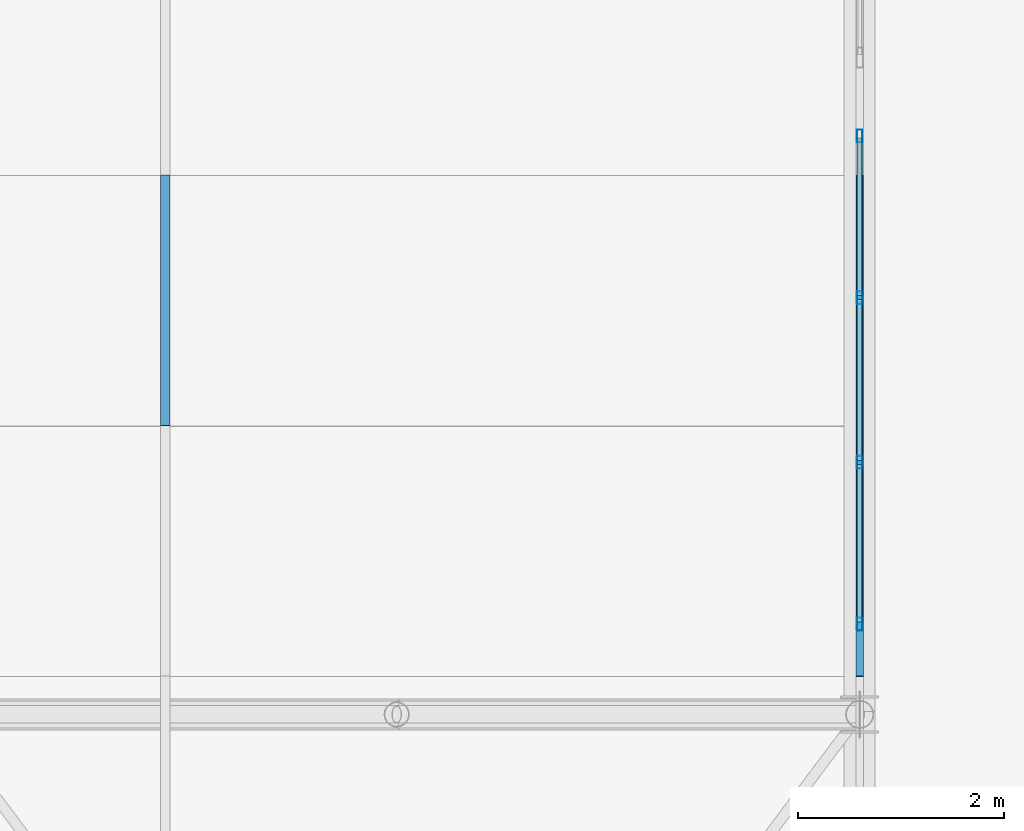
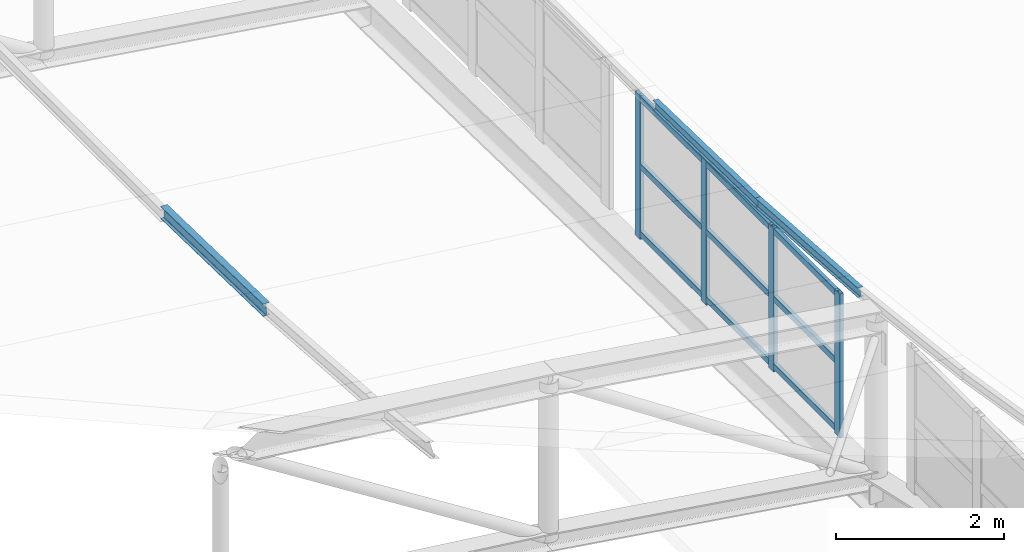
# One storey, part 95 of 262: 16 members, 1 element without a shape of its own.
"""IFC4 building model written with IfcOpenShell, lengths in metres."""

from ifc_helpers import new_model, si_unit, derived_unit, direction, frame, origin, origin_2d, place, context, subcontext, project, spatial, hollow_rectangle, i_section, extrude, material, layer, layer_set, material_profile, profile_set, type_object, element, aggregate, save


model = new_model("IFC4")

# Units and contexts
model_context = context("Model", 3, precision=1e-05, world=origin(), true_north=direction((0.0, 1.0)))
body_context = subcontext(model_context, "Body", "Model", "MODEL_VIEW")
ifc_project = project(units=[si_unit("LENGTHUNIT", "METRE"), si_unit("AREAUNIT", "SQUARE_METRE"), si_unit("VOLUMEUNIT", "CUBIC_METRE"), si_unit("PLANEANGLEUNIT", "RADIAN"), si_unit("MASSUNIT", "GRAM", prefix="KILO"), derived_unit("THERMALTRANSMITTANCEUNIT", [(si_unit("POWERUNIT", "WATT"), 1), (si_unit("LENGTHUNIT", "METRE"), -2), (si_unit("THERMODYNAMICTEMPERATUREUNIT", "KELVIN"), -1)])], contexts=[model_context])

# Site, building, storey
site_placement = place(None, origin())
site = spatial("IfcSite", under=ifc_project, at=site_placement, CompositionType="ELEMENT")
building_placement = place(site_placement, origin())
building = spatial("IfcBuilding", under=site, at=building_placement, Name="Almenara Railside Exhibition Hall", CompositionType="ELEMENT")
storey_placement = place(building_placement, frame((0.0, 0.0, 21.699951171875)))
storey = spatial("IfcBuildingStorey", under=building, at=storey_placement, Name="RF", CompositionType="ELEMENT", Elevation=21.699951171875)

# Members
ifc_material_1 = material(Name="Structural steel S355JR", Category="steel")
ifc_material_profile_1 = material_profile(ifc_material_1, i_section(OverallWidth=0.072998046875, OverallDepth=0.139892578125, WebThickness=0.004638671875, FlangeThickness=0.0068359375, FilletRadius=0.007080078125, at=origin_2d()), Name="IPE 140")
ifc_profile_set_1 = profile_set([ifc_material_profile_1], Name="Structural steel S355JR")
member_type_1 = type_object("IfcMemberType", Name="Canopy Edge Purlin IPE 140 S355JR", PredefinedType="PURLIN", material=ifc_profile_set_1)
member_1_placement = place(storey_placement, frame((66.0, 72.366943359375, 0.29345703125), z_axis=(0.0, 0.997528729247, -0.070259763216), x_axis=(-1.0, 0.0, 0.0)))
element("IfcMember", 1, at=member_1_placement, inside=storey, type_object=member_type_1, Name="MEM-PR-V1-PR-IPE140-08-10", PredefinedType="PURLIN", context=body_context, shape_type="SweptSolid", body=[
    extrude(i_section(OverallWidth=0.072998046875, OverallDepth=0.139892578125, WebThickness=0.004638671875, FlangeThickness=0.0068359375, FilletRadius=0.007080078125, at=origin_2d()), origin(), (0.0, 0.0, 1.0), 2.44287109375),
])
member_2_placement = place(storey_placement, frame((66.0, 74.8037109375, 0.122314453125), z_axis=(0.0, 0.999725289903, -0.023438104182), x_axis=(-1.0, 0.0, 0.0)))
element("IfcMember", 2, at=member_2_placement, inside=storey, type_object=member_type_1, Name="MEM-PR-V1-PR-IPE140-08-11", PredefinedType="PURLIN", context=body_context, shape_type="SweptSolid", body=[
    extrude(i_section(OverallWidth=0.072998046875, OverallDepth=0.139892578125, WebThickness=0.004638671875, FlangeThickness=0.0068359375, FilletRadius=0.007080078125, at=origin_2d()), origin(), (0.0, 0.0, 1.0), 2.4375),
])

# Curtain wall, members
ifc_material_2 = material(Name="Bronze-anodised aluminium and low-E double glazing", Category="aluminium")
ifc_layer = layer(ifc_material_2, 0.179931640625, Name="Bronze-anodised aluminium and low-E double glazing")
ifc_layer_set = layer_set([ifc_layer], Name="Bronze-anodised aluminium and low-E double glazing")
curtain_wall_type = type_object("IfcCurtainWallType", Name="West Hall Clerestory Curtain Wall 4200x2400", PredefinedType="NOTDEFINED", material=ifc_layer_set)
curtain_wall_placement = place(storey_placement, origin())
curtain_wall = element("IfcCurtainWall", 3, at=curtain_wall_placement, inside=storey, type_object=curtain_wall_type, Name="Curtain wall CW-CL1-178", PredefinedType="NOTDEFINED")
ifc_material_3 = material(Name="Bronze-anodised aluminium", Category="aluminium")
ifc_material_profile_2 = material_profile(ifc_material_3, hollow_rectangle(XDim=0.054931640625, YDim=0.125, WallThickness=0.0029296875, InnerFilletRadius=0.0029296875, OuterFilletRadius=0.006103515625, at=origin_2d()), Name="ALU-MUL 55x125x3")
ifc_profile_set_2 = profile_set([ifc_material_profile_2], Name="Bronze-anodised aluminium")
member_type_2 = type_object("IfcMemberType", Name="Curtain Wall Mullion 55x125x3", PredefinedType="MULLION", material=ifc_profile_set_2)
member_3_placement = place(storey_placement, frame((66.0, 72.87744140625, -2.0849609375), z_axis=(0.0, 0.0, 1.0), x_axis=(-1.0, 0.0, 0.0)))
member_3 = element("IfcMember", 4, at=member_3_placement, type_object=member_type_2, Name="CW-CL1-178 mullion 1", PredefinedType="MULLION", context=body_context, shape_type="SweptSolid", body=[
    extrude(hollow_rectangle(XDim=0.054931640625, YDim=0.125, WallThickness=0.0029296875, InnerFilletRadius=0.0029296875, OuterFilletRadius=0.006103515625, at=origin_2d()), origin(), (0.0, 0.0, 1.0), 2.0849609375),
])
member_4_placement = place(storey_placement, frame((66.0, 74.449951171875, -2.0849609375), z_axis=(0.0, 0.0, 1.0), x_axis=(-1.0, 0.0, 0.0)))
member_4 = element("IfcMember", 5, at=member_4_placement, type_object=member_type_2, Name="CW-CL1-178 mullion 2", PredefinedType="MULLION", context=body_context, shape_type="SweptSolid", body=[
    extrude(hollow_rectangle(XDim=0.054931640625, YDim=0.125, WallThickness=0.0029296875, InnerFilletRadius=0.0029296875, OuterFilletRadius=0.006103515625, at=origin_2d()), origin(), (0.0, 0.0, 1.0), 2.0849609375),
])
member_5_placement = place(storey_placement, frame((66.0, 76.050048828125, -2.0849609375), z_axis=(0.0, 0.0, 1.0), x_axis=(-1.0, 0.0, 0.0)))
member_5 = element("IfcMember", 6, at=member_5_placement, type_object=member_type_2, Name="CW-CL1-178 mullion 3", PredefinedType="MULLION", context=body_context, shape_type="SweptSolid", body=[
    extrude(hollow_rectangle(XDim=0.054931640625, YDim=0.125, WallThickness=0.0029296875, InnerFilletRadius=0.0029296875, OuterFilletRadius=0.006103515625, at=origin_2d()), origin(), (0.0, 0.0, 1.0), 2.0849609375),
])
member_6_placement = place(storey_placement, frame((66.0, 77.62255859375, -2.0849609375), z_axis=(0.0, 0.0, 1.0), x_axis=(-1.0, 0.0, 0.0)))
member_6 = element("IfcMember", 7, at=member_6_placement, type_object=member_type_2, Name="CW-CL1-178 mullion 4", PredefinedType="MULLION", context=body_context, shape_type="SweptSolid", body=[
    extrude(hollow_rectangle(XDim=0.054931640625, YDim=0.125, WallThickness=0.0029296875, InnerFilletRadius=0.0029296875, OuterFilletRadius=0.006103515625, at=origin_2d()), origin(), (0.0, 0.0, 1.0), 2.0849609375),
])
ifc_material_profile_3 = material_profile(ifc_material_3, hollow_rectangle(XDim=0.054931640625, YDim=0.090087890625, WallThickness=0.0029296875, InnerFilletRadius=0.0029296875, OuterFilletRadius=0.006103515625, at=origin_2d()), Name="ALU-TRN 55x90x3")
ifc_profile_set_3 = profile_set([ifc_material_profile_3], Name="Bronze-anodised aluminium")
member_type_3 = type_object("IfcMemberType", Name="Curtain Wall Transom 55x90x3", PredefinedType="USERDEFINED", material=ifc_profile_set_3)
member_7_placement = place(storey_placement, frame((66.0, 72.89697265625, -2.0048828125), z_axis=(0.0, 1.0, 0.0), x_axis=(-1.0, 0.0, 0.0)))
member_7 = element("IfcMember", 8, at=member_7_placement, type_object=member_type_3, Name="CW-CL1-178 transom 1.1", ObjectType="TRANSOM", PredefinedType="USERDEFINED", context=body_context, shape_type="SweptSolid", body=[
    extrude(hollow_rectangle(XDim=0.054931640625, YDim=0.090087890625, WallThickness=0.0029296875, InnerFilletRadius=0.0029296875, OuterFilletRadius=0.006103515625, at=origin_2d()), origin(), (0.0, 0.0, 1.0), 1.533447265625),
])
member_8_placement = place(storey_placement, frame((66.0, 72.89697265625, -1.02490234375), z_axis=(0.0, 1.0, 0.0), x_axis=(-1.0, 0.0, 0.0)))
member_8 = element("IfcMember", 9, at=member_8_placement, type_object=member_type_3, Name="CW-CL1-178 transom 1.2", ObjectType="TRANSOM", PredefinedType="USERDEFINED", context=body_context, shape_type="SweptSolid", body=[
    extrude(hollow_rectangle(XDim=0.054931640625, YDim=0.090087890625, WallThickness=0.0029296875, InnerFilletRadius=0.0029296875, OuterFilletRadius=0.006103515625, at=origin_2d()), origin(), (0.0, 0.0, 1.0), 1.533447265625),
])
member_9_placement = place(storey_placement, frame((66.0, 72.89697265625, -0.044921875), z_axis=(0.0, 1.0, 0.0), x_axis=(-1.0, 0.0, 0.0)))
member_9 = element("IfcMember", 10, at=member_9_placement, type_object=member_type_3, Name="CW-CL1-178 transom 1.3", ObjectType="TRANSOM", PredefinedType="USERDEFINED", context=body_context, shape_type="SweptSolid", body=[
    extrude(hollow_rectangle(XDim=0.054931640625, YDim=0.090087890625, WallThickness=0.0029296875, InnerFilletRadius=0.0029296875, OuterFilletRadius=0.006103515625, at=origin_2d()), origin(), (0.0, 0.0, 1.0), 1.533447265625),
])
member_10_placement = place(storey_placement, frame((66.0, 74.469482421875, -2.0048828125), z_axis=(0.0, 1.0, 0.0), x_axis=(-1.0, 0.0, 0.0)))
member_10 = element("IfcMember", 11, at=member_10_placement, type_object=member_type_3, Name="CW-CL1-178 transom 2.1", ObjectType="TRANSOM", PredefinedType="USERDEFINED", context=body_context, shape_type="SweptSolid", body=[
    extrude(hollow_rectangle(XDim=0.054931640625, YDim=0.090087890625, WallThickness=0.0029296875, InnerFilletRadius=0.0029296875, OuterFilletRadius=0.006103515625, at=origin_2d()), origin(), (0.0, 0.0, 1.0), 1.56103515625),
])
member_11_placement = place(storey_placement, frame((66.0, 74.469482421875, -1.02490234375), z_axis=(0.0, 1.0, 0.0), x_axis=(-1.0, 0.0, 0.0)))
member_11 = element("IfcMember", 12, at=member_11_placement, type_object=member_type_3, Name="CW-CL1-178 transom 2.2", ObjectType="TRANSOM", PredefinedType="USERDEFINED", context=body_context, shape_type="SweptSolid", body=[
    extrude(hollow_rectangle(XDim=0.054931640625, YDim=0.090087890625, WallThickness=0.0029296875, InnerFilletRadius=0.0029296875, OuterFilletRadius=0.006103515625, at=origin_2d()), origin(), (0.0, 0.0, 1.0), 1.56103515625),
])
member_12_placement = place(storey_placement, frame((66.0, 74.469482421875, -0.044921875), z_axis=(0.0, 1.0, 0.0), x_axis=(-1.0, 0.0, 0.0)))
member_12 = element("IfcMember", 13, at=member_12_placement, type_object=member_type_3, Name="CW-CL1-178 transom 2.3", ObjectType="TRANSOM", PredefinedType="USERDEFINED", context=body_context, shape_type="SweptSolid", body=[
    extrude(hollow_rectangle(XDim=0.054931640625, YDim=0.090087890625, WallThickness=0.0029296875, InnerFilletRadius=0.0029296875, OuterFilletRadius=0.006103515625, at=origin_2d()), origin(), (0.0, 0.0, 1.0), 1.56103515625),
])
member_13_placement = place(storey_placement, frame((66.0, 76.069580078125, -2.0048828125), z_axis=(0.0, 1.0, 0.0), x_axis=(-1.0, 0.0, 0.0)))
member_13 = element("IfcMember", 14, at=member_13_placement, type_object=member_type_3, Name="CW-CL1-178 transom 3.1", ObjectType="TRANSOM", PredefinedType="USERDEFINED", context=body_context, shape_type="SweptSolid", body=[
    extrude(hollow_rectangle(XDim=0.054931640625, YDim=0.090087890625, WallThickness=0.0029296875, InnerFilletRadius=0.0029296875, OuterFilletRadius=0.006103515625, at=origin_2d()), origin(), (0.0, 0.0, 1.0), 1.533447265625),
])
member_14_placement = place(storey_placement, frame((66.0, 76.069580078125, -1.02490234375), z_axis=(0.0, 1.0, 0.0), x_axis=(-1.0, 0.0, 0.0)))
member_14 = element("IfcMember", 15, at=member_14_placement, type_object=member_type_3, Name="CW-CL1-178 transom 3.2", ObjectType="TRANSOM", PredefinedType="USERDEFINED", context=body_context, shape_type="SweptSolid", body=[
    extrude(hollow_rectangle(XDim=0.054931640625, YDim=0.090087890625, WallThickness=0.0029296875, InnerFilletRadius=0.0029296875, OuterFilletRadius=0.006103515625, at=origin_2d()), origin(), (0.0, 0.0, 1.0), 1.533447265625),
])
member_15_placement = place(storey_placement, frame((66.0, 76.069580078125, -0.044921875), z_axis=(0.0, 1.0, 0.0), x_axis=(-1.0, 0.0, 0.0)))
member_15 = element("IfcMember", 16, at=member_15_placement, type_object=member_type_3, Name="CW-CL1-178 transom 3.3", ObjectType="TRANSOM", PredefinedType="USERDEFINED", context=body_context, shape_type="SweptSolid", body=[
    extrude(hollow_rectangle(XDim=0.054931640625, YDim=0.090087890625, WallThickness=0.0029296875, InnerFilletRadius=0.0029296875, OuterFilletRadius=0.006103515625, at=origin_2d()), origin(), (0.0, 0.0, 1.0), 1.533447265625),
])
aggregate(curtain_wall, [member_3, member_4, member_5, member_6, member_7, member_8, member_9, member_10, member_11, member_12, member_13, member_14, member_15])

# Member
ifc_material_profile_4 = material_profile(ifc_material_1, i_section(OverallWidth=0.091064453125, OverallDepth=0.179931640625, WebThickness=0.00537109375, FlangeThickness=0.008056640625, FilletRadius=0.009033203125, at=origin_2d()), Name="IPE 180")
ifc_profile_set_4 = profile_set([ifc_material_profile_4], Name="Structural steel S355JR")
member_type_4 = type_object("IfcMemberType", Name="Plenary Roof Purlin IPE 180 S355JR", PredefinedType="PURLIN", material=ifc_profile_set_4)
member_16_placement = place(storey_placement, frame((59.25, 74.8037109375, 0.9287109375), z_axis=(0.0, 0.999725289903, -0.023438104182), x_axis=(-1.0, 0.0, 0.0)))
element("IfcMember", 17, at=member_16_placement, inside=storey, type_object=member_type_4, Name="MEM-PR-V1-PR-IPE180-07-11", PredefinedType="PURLIN", context=body_context, shape_type="SweptSolid", body=[
    extrude(i_section(OverallWidth=0.091064453125, OverallDepth=0.179931640625, WebThickness=0.00537109375, FlangeThickness=0.008056640625, FilletRadius=0.009033203125, at=origin_2d()), origin(), (0.0, 0.0, 1.0), 2.4375),
])

save(model, "model.ifc")
